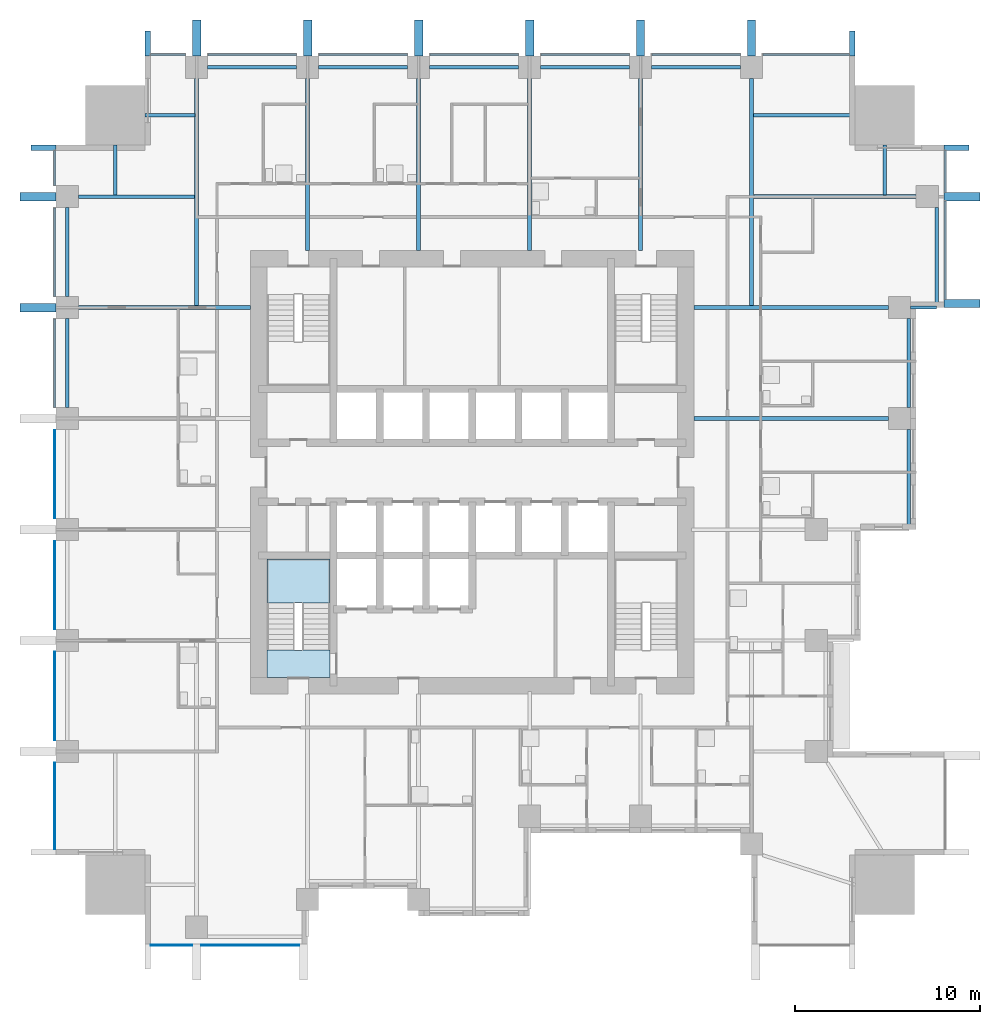
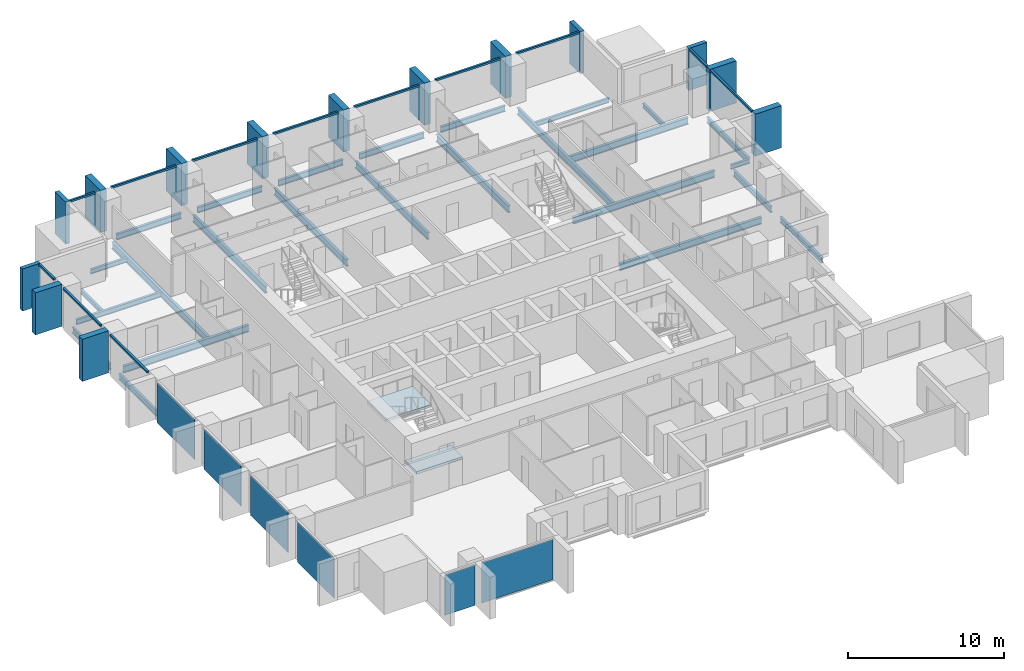
# One storey, part 2 of 10: 26 beams, 26 members, 6 plates, 2 slabs, 5 elements without a shape of their own.
"""IFC4 building model written with IfcOpenShell, lengths in metres."""

from ifc_helpers import new_model, si_unit, direction, frame, origin, origin_2d, place, context, subcontext, project, spatial, polyline, rectangle, i_section, outline, extrude, material, layer, layer_set, material_profile, profile_set, type_object, element, aggregate, save


model = new_model("IFC4")

# Units and contexts
model_context = context("Model", 3, precision=1e-05, world=origin(), true_north=direction((0.0, 1.0)))
body_context = subcontext(model_context, "Body", "Model", "MODEL_VIEW")
ifc_project = project(units=[si_unit("LENGTHUNIT", "METRE"), si_unit("AREAUNIT", "SQUARE_METRE"), si_unit("VOLUMEUNIT", "CUBIC_METRE"), si_unit("PLANEANGLEUNIT", "RADIAN"), si_unit("MASSUNIT", "GRAM", prefix="KILO")], contexts=[model_context])

# Site, building, storey
site_placement = place(None, origin())
site = spatial("IfcSite", under=ifc_project, at=site_placement, CompositionType="ELEMENT")
building_placement = place(site_placement, origin())
building = spatial("IfcBuilding", under=site, at=building_placement, Name="Amberfall Residences", CompositionType="ELEMENT")
storey_placement = place(building_placement, frame((0.0, 0.0, 46.60009765625)))
storey = spatial("IfcBuildingStorey", under=building, at=storey_placement, Name="L12", CompositionType="ELEMENT", Elevation=46.60009765625)

# Curtain wall, members
ifc_material_1 = material(Name="Bronze anodised aluminium and glass", Category="aluminium")
curtain_wall_type = type_object("IfcCurtainWallType", Name="Curtain wall CW1 tower unit", PredefinedType="USERDEFINED", material=ifc_material_1)
curtain_wall_1_placement = place(storey_placement, origin())
curtain_wall_1 = element("IfcCurtainWall", 1, at=curtain_wall_1_placement, inside=storey, type_object=curtain_wall_type, Name="Curtain wall L12 E E10", ObjectType="UNITISED CURTAIN WALL", PredefinedType="USERDEFINED")
ifc_material_2 = material(Name="Bronze anodised aluminium", Category="aluminium")
ifc_material_profile_1 = material_profile(ifc_material_2, rectangle(XDim=0.14990234375, YDim=0.14990234375, at=origin_2d()), Name="CW1 transom 150 x 150 bronze")
ifc_profile_set_1 = profile_set([ifc_material_profile_1], Name="Bronze anodised aluminium")
member_type_1 = type_object("IfcMemberType", Name="CW1 transom 150 x 150 bronze", PredefinedType="USERDEFINED", material=ifc_profile_set_1)
member_1_placement = place(storey_placement, frame((100.074951171875, 54.85009765625, 2.974853515625), z_axis=(0.0, 1.0, 0.0), x_axis=(-1.0, 0.0, 0.0)))
member_1 = element("IfcMember", 2, at=member_1_placement, type_object=member_type_1, Name="CW1 transom 1.1", ObjectType="TRANSOM", PredefinedType="USERDEFINED", context=body_context, shape_type="SweptSolid", body=[
    extrude(rectangle(XDim=0.14990234375, YDim=0.14990234375, at=origin_2d()), origin(), (0.0, 0.0, 1.0), 5.324951171875),
])
member_2_placement = place(storey_placement, frame((100.074951171875, 60.625, 2.974853515625), z_axis=(0.0, 1.0, 0.0), x_axis=(-1.0, 0.0, 0.0)))
member_2 = element("IfcMember", 3, at=member_2_placement, type_object=member_type_1, Name="CW1 transom 2.1", ObjectType="TRANSOM", PredefinedType="USERDEFINED", context=body_context, shape_type="SweptSolid", body=[
    extrude(rectangle(XDim=0.14990234375, YDim=0.14990234375, at=origin_2d()), origin(), (0.0, 0.0, 1.0), 2.27490234375),
])

curtain_wall_2_placement = place(storey_placement, origin())
curtain_wall_2 = element("IfcCurtainWall", 4, at=curtain_wall_2_placement, inside=storey, type_object=curtain_wall_type, Name="Curtain wall L12 N N1", ObjectType="UNITISED CURTAIN WALL", PredefinedType="USERDEFINED")
member_3_placement = place(storey_placement, frame((94.89990234375, 68.074951171875, 2.974853515625), z_axis=(-1.0, 0.0, 0.0), x_axis=(0.0, -1.0, 0.0)))
member_3 = element("IfcMember", 5, at=member_3_placement, type_object=member_type_1, Name="CW1 transom 1.1", ObjectType="TRANSOM", PredefinedType="USERDEFINED", context=body_context, shape_type="SweptSolid", body=[
    extrude(rectangle(XDim=0.14990234375, YDim=0.14990234375, at=origin_2d()), origin(), (0.0, 0.0, 1.0), 4.69482421875),
])
member_4_placement = place(storey_placement, frame((88.9951171875, 68.074951171875, 2.974853515625), z_axis=(-1.0, 0.0, 0.0), x_axis=(0.0, -1.0, 0.0)))
member_4 = element("IfcMember", 6, at=member_4_placement, type_object=member_type_1, Name="CW1 transom 2.1", ObjectType="TRANSOM", PredefinedType="USERDEFINED", context=body_context, shape_type="SweptSolid", body=[
    extrude(rectangle(XDim=0.14990234375, YDim=0.14990234375, at=origin_2d()), origin(), (0.0, 0.0, 1.0), 4.7900390625),
])
member_5_placement = place(storey_placement, frame((82.9951171875, 68.074951171875, 2.974853515625), z_axis=(-1.0, 0.0, 0.0), x_axis=(0.0, -1.0, 0.0)))
member_5 = element("IfcMember", 7, at=member_5_placement, type_object=member_type_1, Name="CW1 transom 3.1", ObjectType="TRANSOM", PredefinedType="USERDEFINED", context=body_context, shape_type="SweptSolid", body=[
    extrude(rectangle(XDim=0.14990234375, YDim=0.14990234375, at=origin_2d()), origin(), (0.0, 0.0, 1.0), 4.7900390625),
])
member_6_placement = place(storey_placement, frame((76.9951171875, 68.074951171875, 2.974853515625), z_axis=(-1.0, 0.0, 0.0), x_axis=(0.0, -1.0, 0.0)))
member_6 = element("IfcMember", 8, at=member_6_placement, type_object=member_type_1, Name="CW1 transom 4.1", ObjectType="TRANSOM", PredefinedType="USERDEFINED", context=body_context, shape_type="SweptSolid", body=[
    extrude(rectangle(XDim=0.14990234375, YDim=0.14990234375, at=origin_2d()), origin(), (0.0, 0.0, 1.0), 4.7900390625),
])
member_7_placement = place(storey_placement, frame((70.9951171875, 68.074951171875, 2.974853515625), z_axis=(-1.0, 0.0, 0.0), x_axis=(0.0, -1.0, 0.0)))
member_7 = element("IfcMember", 9, at=member_7_placement, type_object=member_type_1, Name="CW1 transom 5.1", ObjectType="TRANSOM", PredefinedType="USERDEFINED", context=body_context, shape_type="SweptSolid", body=[
    extrude(rectangle(XDim=0.14990234375, YDim=0.14990234375, at=origin_2d()), origin(), (0.0, 0.0, 1.0), 4.7900390625),
])
member_8_placement = place(storey_placement, frame((64.9951171875, 68.074951171875, 2.974853515625), z_axis=(-1.0, 0.0, 0.0), x_axis=(0.0, -1.0, 0.0)))
member_8 = element("IfcMember", 10, at=member_8_placement, type_object=member_type_1, Name="CW1 transom 6.1", ObjectType="TRANSOM", PredefinedType="USERDEFINED", context=body_context, shape_type="SweptSolid", body=[
    extrude(rectangle(XDim=0.14990234375, YDim=0.14990234375, at=origin_2d()), origin(), (0.0, 0.0, 1.0), 4.7900390625),
])
member_9_placement = place(storey_placement, frame((58.9951171875, 68.074951171875, 2.974853515625), z_axis=(-1.0, 0.0, 0.0), x_axis=(0.0, -1.0, 0.0)))
member_9 = element("IfcMember", 11, at=member_9_placement, type_object=member_type_1, Name="CW1 transom 7.1", ObjectType="TRANSOM", PredefinedType="USERDEFINED", context=body_context, shape_type="SweptSolid", body=[
    extrude(rectangle(XDim=0.14990234375, YDim=0.14990234375, at=origin_2d()), origin(), (0.0, 0.0, 1.0), 1.89501953125),
])

curtain_wall_3_placement = place(storey_placement, origin())
curtain_wall_3 = element("IfcCurtainWall", 12, at=curtain_wall_3_placement, inside=storey, type_object=curtain_wall_type, Name="Curtain wall L12 W W1", ObjectType="UNITISED CURTAIN WALL", PredefinedType="USERDEFINED")
member_10_placement = place(storey_placement, frame((51.925048828125, 62.89990234375, 2.974853515625), z_axis=(0.0, -1.0, 0.0), x_axis=(1.0, 0.0, 0.0)))
member_10 = element("IfcMember", 13, at=member_10_placement, type_object=member_type_1, Name="CW1 transom 1.1", ObjectType="TRANSOM", PredefinedType="USERDEFINED", context=body_context, shape_type="SweptSolid", body=[
    extrude(rectangle(XDim=0.14990234375, YDim=0.14990234375, at=origin_2d()), origin(), (0.0, 0.0, 1.0), 1.89501953125),
])
member_11_placement = place(storey_placement, frame((51.925048828125, 59.794921875, 2.974853515625), z_axis=(0.0, -1.0, 0.0), x_axis=(1.0, 0.0, 0.0)))
member_11 = element("IfcMember", 14, at=member_11_placement, type_object=member_type_1, Name="CW1 transom 2.1", ObjectType="TRANSOM", PredefinedType="USERDEFINED", context=body_context, shape_type="SweptSolid", body=[
    extrude(rectangle(XDim=0.14990234375, YDim=0.14990234375, at=origin_2d()), origin(), (0.0, 0.0, 1.0), 4.7900390625),
])
member_12_placement = place(storey_placement, frame((51.925048828125, 53.794921875, 2.974853515625), z_axis=(0.0, -1.0, 0.0), x_axis=(1.0, 0.0, 0.0)))
member_12 = element("IfcMember", 15, at=member_12_placement, type_object=member_type_1, Name="CW1 transom 3.1", ObjectType="TRANSOM", PredefinedType="USERDEFINED", context=body_context, shape_type="SweptSolid", body=[
    extrude(rectangle(XDim=0.14990234375, YDim=0.14990234375, at=origin_2d()), origin(), (0.0, 0.0, 1.0), 4.7900390625),
])

# Beam
ifc_material_3 = material(Name="Steel S355", Category="steel")
ifc_material_profile_2 = material_profile(ifc_material_3, i_section(OverallWidth=0.171142578125, OverallDepth=0.351318359375, WebThickness=0.007080078125, FlangeThickness=0.009765625, FilletRadius=0.01025390625, at=origin_2d()), Name="UB 356x171x45")
ifc_profile_set_2 = profile_set([ifc_material_profile_2], Name="Steel S355")
beam_type_1 = type_object("IfcBeamType", Name="Cantilever girder UB 356x171x45", PredefinedType="BEAM", material=ifc_profile_set_2)
beam_1_placement = place(storey_placement, frame((98.199951171875, 54.39990234375, -0.42578125), z_axis=(1.0, 0.0, 0.0), x_axis=(0.0, 1.0, 0.0)))
element("IfcBeam", 16, at=beam_1_placement, inside=storey, type_object=beam_type_1, Name="Cantilever girder B8 L12 21", PredefinedType="BEAM", context=body_context, shape_type="SweptSolid", body=[
    extrude(i_section(OverallWidth=0.171142578125, OverallDepth=0.351318359375, WebThickness=0.007080078125, FlangeThickness=0.009765625, FilletRadius=0.01025390625, at=origin_2d()), origin(), (0.0, 0.0, 1.0), 1.400146484375),
])

# Member
ifc_material_profile_3 = material_profile(ifc_material_2, rectangle(XDim=1.35009765625, YDim=0.300048828125, at=origin_2d()), Name="Corner fin 300 x 1350 bronze")
ifc_profile_set_3 = profile_set([ifc_material_profile_3], Name="Bronze anodised aluminium")
member_type_2 = type_object("IfcMemberType", Name="Corner fin 300 x 1350 bronze", PredefinedType="MULLION", material=ifc_profile_set_3)
member_13_placement = place(storey_placement, frame((100.675048828125, 63.050048828125, -0.25), z_axis=(0.0, 0.0, 1.0), x_axis=(-1.0, 0.0, 0.0)))
member_13 = element("IfcMember", 17, at=member_13_placement, type_object=member_type_2, Name="CW FIN 3", PredefinedType="MULLION", context=body_context, shape_type="SweptSolid", body=[
    extrude(rectangle(XDim=1.35009765625, YDim=0.300048828125, at=origin_2d()), origin(), (0.0, 0.0, 1.0), 3.2998046875),
])

member_14_placement = place(storey_placement, frame((95.050048828125, 68.675048828125, -0.25), z_axis=(0.0, 0.0, 1.0), x_axis=(0.0, -1.0, 0.0)))
member_14 = element("IfcMember", 18, at=member_14_placement, type_object=member_type_2, Name="CW FIN 1", PredefinedType="MULLION", context=body_context, shape_type="SweptSolid", body=[
    extrude(rectangle(XDim=1.35009765625, YDim=0.300048828125, at=origin_2d()), origin(), (0.0, 0.0, 1.0), 3.2998046875),
])

member_15_placement = place(storey_placement, frame((56.949951171875, 68.675048828125, -0.25), z_axis=(0.0, 0.0, 1.0), x_axis=(0.0, -1.0, 0.0)))
member_15 = element("IfcMember", 19, at=member_15_placement, type_object=member_type_2, Name="CW FIN 8", PredefinedType="MULLION", context=body_context, shape_type="SweptSolid", body=[
    extrude(rectangle(XDim=1.35009765625, YDim=0.300048828125, at=origin_2d()), origin(), (0.0, 0.0, 1.0), 3.2998046875),
])

member_16_placement = place(storey_placement, frame((51.324951171875, 63.050048828125, -0.25), z_axis=(0.0, 0.0, 1.0), x_axis=(1.0, 0.0, 0.0)))
member_16 = element("IfcMember", 20, at=member_16_placement, type_object=member_type_2, Name="CW FIN 1", PredefinedType="MULLION", context=body_context, shape_type="SweptSolid", body=[
    extrude(rectangle(XDim=1.35009765625, YDim=0.300048828125, at=origin_2d()), origin(), (0.0, 0.0, 1.0), 3.2998046875),
])

# Beams
ifc_material_profile_4 = material_profile(ifc_material_3, i_section(OverallWidth=0.18994140625, OverallDepth=0.453369140625, WebThickness=0.008544921875, FlangeThickness=0.0126953125, FilletRadius=0.01025390625, at=origin_2d()), Name="UB 457x191x67")
ifc_profile_set_4 = profile_set([ifc_material_profile_4], Name="Steel S355")
beam_type_2 = type_object("IfcBeamType", Name="Edge beam UB 457x191x67", PredefinedType="SPANDREL", material=ifc_profile_set_4)
beam_2_placement = place(storey_placement, frame((98.10009765625, 42.47998046875, -0.476806640625), z_axis=(0.0, 1.0, 0.0), x_axis=(-1.0, 0.0, 0.0)))
element("IfcBeam", 21, at=beam_2_placement, inside=storey, type_object=beam_type_2, Name="Edge beam B1 L12 16", PredefinedType="SPANDREL", context=body_context, shape_type="SweptSolid", body=[
    extrude(i_section(OverallWidth=0.18994140625, OverallDepth=0.453369140625, WebThickness=0.008544921875, FlangeThickness=0.0126953125, FilletRadius=0.01025390625, at=origin_2d()), origin(), (0.0, 0.0, 1.0), 5.320068359375),
])
beam_3_placement = place(storey_placement, frame((98.10009765625, 49.0, -0.476806640625), z_axis=(0.0, 1.0, 0.0), x_axis=(-1.0, 0.0, 0.0)))
element("IfcBeam", 22, at=beam_3_placement, inside=storey, type_object=beam_type_2, Name="Edge beam B1 L12 17", PredefinedType="SPANDREL", context=body_context, shape_type="SweptSolid", body=[
    extrude(i_section(OverallWidth=0.18994140625, OverallDepth=0.453369140625, WebThickness=0.008544921875, FlangeThickness=0.0126953125, FilletRadius=0.01025390625, at=origin_2d()), origin(), (0.0, 0.0, 1.0), 4.800048828125),
])
beam_4_placement = place(storey_placement, frame((99.60009765625, 54.47998046875, -0.476806640625), z_axis=(0.0, 1.0, 0.0), x_axis=(-1.0, 0.0, 0.0)))
element("IfcBeam", 23, at=beam_4_placement, inside=storey, type_object=beam_type_2, Name="Edge beam B1 L12 18", PredefinedType="SPANDREL", context=body_context, shape_type="SweptSolid", body=[
    extrude(i_section(OverallWidth=0.18994140625, OverallDepth=0.453369140625, WebThickness=0.008544921875, FlangeThickness=0.0126953125, FilletRadius=0.01025390625, at=origin_2d()), origin(), (0.0, 0.0, 1.0), 5.320068359375),
])
for number, where, z_axis, x_axis, name in (
    (24, (60.199951171875, 67.39990234375, -0.476806640625), (1.0, 0.0, 0.0), (0.0, 1.0, 0.0), "Edge beam B1 L12 28"),
    (25, (66.199951171875, 67.39990234375, -0.476806640625), (1.0, 0.0, 0.0), (0.0, 1.0, 0.0), "Edge beam B1 L12 29"),
    (26, (72.199951171875, 67.39990234375, -0.476806640625), (1.0, 0.0, 0.0), (0.0, 1.0, 0.0), "Edge beam B1 L12 30"),
    (27, (78.199951171875, 67.39990234375, -0.476806640625), (1.0, 0.0, 0.0), (0.0, 1.0, 0.0), "Edge beam B1 L12 31"),
    (28, (84.199951171875, 67.39990234375, -0.476806640625), (1.0, 0.0, 0.0), (0.0, 1.0, 0.0), "Edge beam B1 L12 32"),
    (29, (52.60009765625, 49.0, -0.476806640625), (0.0, 1.0, 0.0), (-1.0, 0.0, 0.0), "Edge beam B1 L12 42"),
    (30, (52.60009765625, 55.0, -0.476806640625), (0.0, 1.0, 0.0), (-1.0, 0.0, 0.0), "Edge beam B1 L12 43"),
):
    element("IfcBeam", number, at=place(storey_placement, frame(where, z_axis=z_axis, x_axis=x_axis)), inside=storey, type_object=beam_type_2, Name=name, PredefinedType="SPANDREL", context=body_context, shape_type="SweptSolid", body=[
        extrude(i_section(OverallWidth=0.18994140625, OverallDepth=0.453369140625, WebThickness=0.008544921875, FlangeThickness=0.0126953125, FilletRadius=0.01025390625, at=origin_2d()), origin(), (0.0, 0.0, 1.0), 4.800048828125),
    ])

# Member
ifc_material_profile_5 = material_profile(ifc_material_2, rectangle(XDim=1.949951171875, YDim=0.449951171875, at=origin_2d()), Name="Fin 450 x 1950 bronze")
ifc_profile_set_5 = profile_set([ifc_material_profile_5], Name="Bronze anodised aluminium")
member_type_3 = type_object("IfcMemberType", Name="Fin 450 x 1950 bronze", PredefinedType="MULLION", material=ifc_profile_set_5)
member_17_placement = place(storey_placement, frame((100.97509765625, 54.625, -0.25), z_axis=(0.0, 0.0, 1.0), x_axis=(-1.0, 0.0, 0.0)))
member_17 = element("IfcMember", 31, at=member_17_placement, type_object=member_type_3, Name="CW FIN 1", PredefinedType="MULLION", context=body_context, shape_type="SweptSolid", body=[
    extrude(rectangle(XDim=1.949951171875, YDim=0.449951171875, at=origin_2d()), origin(), (0.0, 0.0, 1.0), 3.2998046875),
])

member_18_placement = place(storey_placement, frame((100.97509765625, 60.39990234375, -0.25), z_axis=(0.0, 0.0, 1.0), x_axis=(-1.0, 0.0, 0.0)))
member_18 = element("IfcMember", 32, at=member_18_placement, type_object=member_type_3, Name="CW FIN 2", PredefinedType="MULLION", context=body_context, shape_type="SweptSolid", body=[
    extrude(rectangle(XDim=1.949951171875, YDim=0.449951171875, at=origin_2d()), origin(), (0.0, 0.0, 1.0), 3.2998046875),
])

aggregate(curtain_wall_1, [member_17, member_18, member_13, member_1, member_2])

member_19_placement = place(storey_placement, frame((89.60009765625, 68.97509765625, -0.25), z_axis=(0.0, 0.0, 1.0), x_axis=(0.0, -1.0, 0.0)))
member_19 = element("IfcMember", 33, at=member_19_placement, type_object=member_type_3, Name="CW FIN 2", PredefinedType="MULLION", context=body_context, shape_type="SweptSolid", body=[
    extrude(rectangle(XDim=1.949951171875, YDim=0.449951171875, at=origin_2d()), origin(), (0.0, 0.0, 1.0), 3.2998046875),
])

member_20_placement = place(storey_placement, frame((83.60009765625, 68.97509765625, -0.25), z_axis=(0.0, 0.0, 1.0), x_axis=(0.0, -1.0, 0.0)))
member_20 = element("IfcMember", 34, at=member_20_placement, type_object=member_type_3, Name="CW FIN 3", PredefinedType="MULLION", context=body_context, shape_type="SweptSolid", body=[
    extrude(rectangle(XDim=1.949951171875, YDim=0.449951171875, at=origin_2d()), origin(), (0.0, 0.0, 1.0), 3.2998046875),
])

member_21_placement = place(storey_placement, frame((77.60009765625, 68.97509765625, -0.25), z_axis=(0.0, 0.0, 1.0), x_axis=(0.0, -1.0, 0.0)))
member_21 = element("IfcMember", 35, at=member_21_placement, type_object=member_type_3, Name="CW FIN 4", PredefinedType="MULLION", context=body_context, shape_type="SweptSolid", body=[
    extrude(rectangle(XDim=1.949951171875, YDim=0.449951171875, at=origin_2d()), origin(), (0.0, 0.0, 1.0), 3.2998046875),
])

member_22_placement = place(storey_placement, frame((71.60009765625, 68.97509765625, -0.25), z_axis=(0.0, 0.0, 1.0), x_axis=(0.0, -1.0, 0.0)))
member_22 = element("IfcMember", 36, at=member_22_placement, type_object=member_type_3, Name="CW FIN 5", PredefinedType="MULLION", context=body_context, shape_type="SweptSolid", body=[
    extrude(rectangle(XDim=1.949951171875, YDim=0.449951171875, at=origin_2d()), origin(), (0.0, 0.0, 1.0), 3.2998046875),
])

member_23_placement = place(storey_placement, frame((65.60009765625, 68.97509765625, -0.25), z_axis=(0.0, 0.0, 1.0), x_axis=(0.0, -1.0, 0.0)))
member_23 = element("IfcMember", 37, at=member_23_placement, type_object=member_type_3, Name="CW FIN 6", PredefinedType="MULLION", context=body_context, shape_type="SweptSolid", body=[
    extrude(rectangle(XDim=1.949951171875, YDim=0.449951171875, at=origin_2d()), origin(), (0.0, 0.0, 1.0), 3.2998046875),
])

member_24_placement = place(storey_placement, frame((59.60009765625, 68.97509765625, -0.25), z_axis=(0.0, 0.0, 1.0), x_axis=(0.0, -1.0, 0.0)))
member_24 = element("IfcMember", 38, at=member_24_placement, type_object=member_type_3, Name="CW FIN 7", PredefinedType="MULLION", context=body_context, shape_type="SweptSolid", body=[
    extrude(rectangle(XDim=1.949951171875, YDim=0.449951171875, at=origin_2d()), origin(), (0.0, 0.0, 1.0), 3.2998046875),
])

aggregate(curtain_wall_2, [member_14, member_19, member_20, member_21, member_22, member_23, member_24, member_15, member_3, member_4, member_5, member_6, member_7, member_8, member_9])

member_25_placement = place(storey_placement, frame((51.02490234375, 60.39990234375, -0.25), z_axis=(0.0, 0.0, 1.0), x_axis=(1.0, 0.0, 0.0)))
member_25 = element("IfcMember", 39, at=member_25_placement, type_object=member_type_3, Name="CW FIN 2", PredefinedType="MULLION", context=body_context, shape_type="SweptSolid", body=[
    extrude(rectangle(XDim=1.949951171875, YDim=0.449951171875, at=origin_2d()), origin(), (0.0, 0.0, 1.0), 3.2998046875),
])

member_26_placement = place(storey_placement, frame((51.02490234375, 54.39990234375, -0.25), z_axis=(0.0, 0.0, 1.0), x_axis=(1.0, 0.0, 0.0)))
member_26 = element("IfcMember", 40, at=member_26_placement, type_object=member_type_3, Name="CW FIN 3", PredefinedType="MULLION", context=body_context, shape_type="SweptSolid", body=[
    extrude(rectangle(XDim=1.949951171875, YDim=0.449951171875, at=origin_2d()), origin(), (0.0, 0.0, 1.0), 3.2998046875),
])

# Beams
ifc_material_profile_6 = material_profile(ifc_material_3, i_section(OverallWidth=0.177734375, OverallDepth=0.402587890625, WebThickness=0.0078125, FlangeThickness=0.010986328125, FilletRadius=0.01025390625, at=origin_2d()), Name="UB 406x178x54")
ifc_profile_set_6 = profile_set([ifc_material_profile_6], Name="Steel S355")
beam_type_3 = type_object("IfcBeamType", Name="Floor girder UB 406x178x54", PredefinedType="BEAM", material=ifc_profile_set_6)
beam_5_placement = place(storey_placement, frame((53.199951171875, 60.39990234375, -0.451416015625), z_axis=(1.0, 0.0, 0.0), x_axis=(0.0, 1.0, 0.0)))
element("IfcBeam", 41, at=beam_5_placement, inside=storey, type_object=beam_type_3, Name="Floor girder B4 L12 49", PredefinedType="BEAM", context=body_context, shape_type="SweptSolid", body=[
    extrude(i_section(OverallWidth=0.177734375, OverallDepth=0.402587890625, WebThickness=0.0078125, FlangeThickness=0.010986328125, FilletRadius=0.01025390625, at=origin_2d()), origin(), (0.0, 0.0, 1.0), 6.280029296875),
])
ifc_material_profile_7 = material_profile(ifc_material_3, i_section(OverallWidth=0.210693359375, OverallDepth=0.53955078125, WebThickness=0.01171875, FlangeThickness=0.018798828125, FilletRadius=0.0126953125, at=origin_2d()), Name="UB 533x210x109")
ifc_profile_set_7 = profile_set([ifc_material_profile_7], Name="Steel S355")
beam_type_4 = type_object("IfcBeamType", Name="Floor girder UB 533x210x109", PredefinedType="BEAM", material=ifc_profile_set_7)
for number, where, z_axis, x_axis, name in (
    (42, (59.60009765625, 66.800048828125, -0.519775390625), (0.0, -1.0, 0.0), (1.0, 0.0, 0.0), "Floor girder B2 L12 33"),
    (43, (89.60009765625, 66.800048828125, -0.519775390625), (0.0, -1.0, 0.0), (1.0, 0.0, 0.0), "Floor girder B2 L12 38"),
):
    element("IfcBeam", number, at=place(storey_placement, frame(where, z_axis=z_axis, x_axis=x_axis)), inside=storey, type_object=beam_type_4, Name=name, PredefinedType="BEAM", context=body_context, shape_type="SweptSolid", body=[
        extrude(i_section(OverallWidth=0.210693359375, OverallDepth=0.53955078125, WebThickness=0.01171875, FlangeThickness=0.018798828125, FilletRadius=0.0126953125, at=origin_2d()), origin(), (0.0, 0.0, 1.0), 12.300537109375),
    ])
ifc_material_profile_8 = material_profile(ifc_material_3, i_section(OverallWidth=0.209228515625, OverallDepth=0.533203125, WebThickness=0.010009765625, FlangeThickness=0.015625, FilletRadius=0.0126953125, at=origin_2d()), Name="UB 533x210x92")
ifc_profile_set_8 = profile_set([ifc_material_profile_8], Name="Steel S355")
beam_type_5 = type_object("IfcBeamType", Name="Floor girder UB 533x210x92", PredefinedType="BEAM", material=ifc_profile_set_8)
for number, where, z_axis, x_axis, name in (
    (44, (97.0, 48.39990234375, -0.5166015625), (-1.0, 0.0, 0.0), (0.0, -1.0, 0.0), "Floor girder B3 L12 25"),
    (45, (97.0, 54.39990234375, -0.5166015625), (-1.0, 0.0, 0.0), (0.0, -1.0, 0.0), "Floor girder B3 L12 26"),
):
    element("IfcBeam", number, at=place(storey_placement, frame(where, z_axis=z_axis, x_axis=x_axis)), inside=storey, type_object=beam_type_5, Name=name, PredefinedType="BEAM", context=body_context, shape_type="SweptSolid", body=[
        extrude(i_section(OverallWidth=0.209228515625, OverallDepth=0.533203125, WebThickness=0.010009765625, FlangeThickness=0.015625, FilletRadius=0.0126953125, at=origin_2d()), origin(), (0.0, 0.0, 1.0), 10.5),
    ])
beam_6_placement = place(storey_placement, frame((98.5, 60.39990234375, -0.5166015625), z_axis=(-1.0, 0.0, 0.0), x_axis=(0.0, -1.0, 0.0)))
element("IfcBeam", 46, at=beam_6_placement, inside=storey, type_object=beam_type_5, Name="Floor girder B3 L12 27", PredefinedType="BEAM", context=body_context, shape_type="SweptSolid", body=[
    extrude(i_section(OverallWidth=0.209228515625, OverallDepth=0.533203125, WebThickness=0.010009765625, FlangeThickness=0.015625, FilletRadius=0.0126953125, at=origin_2d()), origin(), (0.0, 0.0, 1.0), 8.780029296875),
])
for number, where, z_axis, x_axis, name in (
    (47, (65.60009765625, 66.800048828125, -0.5166015625), (0.0, -1.0, 0.0), (1.0, 0.0, 0.0), "Floor girder B3 L12 34"),
    (48, (71.60009765625, 66.800048828125, -0.5166015625), (0.0, -1.0, 0.0), (1.0, 0.0, 0.0), "Floor girder B3 L12 35"),
    (49, (77.60009765625, 66.800048828125, -0.5166015625), (0.0, -1.0, 0.0), (1.0, 0.0, 0.0), "Floor girder B3 L12 36"),
    (50, (83.60009765625, 66.800048828125, -0.5166015625), (0.0, -1.0, 0.0), (1.0, 0.0, 0.0), "Floor girder B3 L12 37"),
    (51, (53.199951171875, 54.39990234375, -0.5166015625), (1.0, 0.0, 0.0), (0.0, 1.0, 0.0), "Floor girder B3 L12 48"),
):
    element("IfcBeam", number, at=place(storey_placement, frame(where, z_axis=z_axis, x_axis=x_axis)), inside=storey, type_object=beam_type_5, Name=name, PredefinedType="BEAM", context=body_context, shape_type="SweptSolid", body=[
        extrude(i_section(OverallWidth=0.209228515625, OverallDepth=0.533203125, WebThickness=0.010009765625, FlangeThickness=0.015625, FilletRadius=0.0126953125, at=origin_2d()), origin(), (0.0, 0.0, 1.0), 9.300048828125),
    ])
ifc_material_profile_9 = material_profile(ifc_material_3, i_section(OverallWidth=0.171142578125, OverallDepth=0.351318359375, WebThickness=0.007080078125, FlangeThickness=0.009765625, FilletRadius=0.01025390625, at=origin_2d()), Name="UB 356x171x45")
ifc_profile_set_9 = profile_set([ifc_material_profile_9], Name="Steel S355")
beam_type_6 = type_object("IfcBeamType", Name="Link beam UB 356x171x45", PredefinedType="BEAM", material=ifc_profile_set_9)
beam_7_placement = place(storey_placement, frame((95.199951171875, 64.800048828125, -0.42578125), z_axis=(-1.0, 0.0, 0.0), x_axis=(0.0, -1.0, 0.0)))
element("IfcBeam", 52, at=beam_7_placement, inside=storey, type_object=beam_type_6, Name="Link beam B7 L12 54", PredefinedType="BEAM", context=body_context, shape_type="SweptSolid", body=[
    extrude(i_section(OverallWidth=0.171142578125, OverallDepth=0.351318359375, WebThickness=0.007080078125, FlangeThickness=0.009765625, FilletRadius=0.01025390625, at=origin_2d()), origin(), (0.0, 0.0, 1.0), 5.504638671875),
])
beam_8_placement = place(storey_placement, frame((96.800048828125, 63.199951171875, -0.42578125), z_axis=(0.0, -1.0, 0.0), x_axis=(1.0, 0.0, 0.0)))
element("IfcBeam", 53, at=beam_8_placement, inside=storey, type_object=beam_type_6, Name="Link beam B7 L12 55", PredefinedType="BEAM", context=body_context, shape_type="SweptSolid", body=[
    extrude(i_section(OverallWidth=0.171142578125, OverallDepth=0.351318359375, WebThickness=0.007080078125, FlangeThickness=0.009765625, FilletRadius=0.01025390625, at=origin_2d()), origin(), (0.0, 0.0, 1.0), 2.705322265625),
])
beam_9_placement = place(storey_placement, frame((56.800048828125, 64.800048828125, -0.42578125), z_axis=(1.0, 0.0, 0.0), x_axis=(0.0, 1.0, 0.0)))
element("IfcBeam", 54, at=beam_9_placement, inside=storey, type_object=beam_type_6, Name="Link beam B7 L12 56", PredefinedType="BEAM", context=body_context, shape_type="SweptSolid", body=[
    extrude(i_section(OverallWidth=0.171142578125, OverallDepth=0.351318359375, WebThickness=0.007080078125, FlangeThickness=0.009765625, FilletRadius=0.01025390625, at=origin_2d()), origin(), (0.0, 0.0, 1.0), 2.70458984375),
])
beam_10_placement = place(storey_placement, frame((55.199951171875, 63.199951171875, -0.42578125), z_axis=(0.0, -1.0, 0.0), x_axis=(1.0, 0.0, 0.0)))
element("IfcBeam", 55, at=beam_10_placement, inside=storey, type_object=beam_type_6, Name="Link beam B7 L12 57", PredefinedType="BEAM", context=body_context, shape_type="SweptSolid", body=[
    extrude(i_section(OverallWidth=0.171142578125, OverallDepth=0.351318359375, WebThickness=0.007080078125, FlangeThickness=0.009765625, FilletRadius=0.01025390625, at=origin_2d()), origin(), (0.0, 0.0, 1.0), 2.720947265625),
])

# Curtain wall, plates
curtain_wall_4_placement = place(storey_placement, origin())
curtain_wall_4 = element("IfcCurtainWall", 56, at=curtain_wall_4_placement, inside=storey, type_object=curtain_wall_type, Name="Curtain wall L12 S S1", ObjectType="UNITISED CURTAIN WALL", PredefinedType="USERDEFINED")
ifc_material_4 = material(Name="Tinted double glazed unit", Category="glass")
ifc_layer_1 = layer(ifc_material_4, 0.035888671875)
ifc_layer_set_1 = layer_set([ifc_layer_1], Name="CW1 panel 36 glazing")
plate_type = type_object("IfcPlateType", Name="CW1 panel 36 glazing", PredefinedType="CURTAIN_PANEL", material=ifc_layer_set_1)
plate_1_placement = place(storey_placement, frame((58.237548828125, 19.925048828125, -0.25), z_axis=(0.0, 0.0, 1.0), x_axis=(1.0, 0.0, 0.0)))
plate_1 = element("IfcPlate", 57, at=plate_1_placement, type_object=plate_type, Name="CW1 panel 1.1", PredefinedType="CURTAIN_PANEL", context=body_context, shape_type="SweptSolid", body=[
    extrude(rectangle(XDim=2.2509765625, YDim=0.035888671875, at=origin_2d()), origin(), (0.0, 0.0, 1.0), 3.14990234375),
])
plate_2_placement = place(storey_placement, frame((62.487548828125, 19.925048828125, -0.25), z_axis=(0.0, 0.0, 1.0), x_axis=(1.0, 0.0, 0.0)))
plate_2 = element("IfcPlate", 58, at=plate_2_placement, type_object=plate_type, Name="CW1 panel 2.1", PredefinedType="CURTAIN_PANEL", context=body_context, shape_type="SweptSolid", body=[
    extrude(rectangle(XDim=5.301025390625, YDim=0.035888671875, at=origin_2d()), origin(), (0.0, 0.0, 1.0), 3.14990234375),
])
aggregate(curtain_wall_4, [plate_1, plate_2])

# Plate
plate_3_placement = place(storey_placement, frame((51.925048828125, 45.39990234375, -0.25), z_axis=(0.0, 0.0, 1.0), x_axis=(0.0, -1.0, 0.0)))
plate_3 = element("IfcPlate", 59, at=plate_3_placement, type_object=plate_type, Name="CW1 panel 4.1", PredefinedType="CURTAIN_PANEL", context=body_context, shape_type="SweptSolid", body=[
    extrude(rectangle(XDim=4.76611328125, YDim=0.035888671875, at=origin_2d()), origin(), (0.0, 0.0, 1.0), 3.14990234375),
])

plate_4_placement = place(storey_placement, frame((51.925048828125, 39.39990234375, -0.25), z_axis=(0.0, 0.0, 1.0), x_axis=(0.0, -1.0, 0.0)))
plate_4 = element("IfcPlate", 60, at=plate_4_placement, type_object=plate_type, Name="CW1 panel 5.1", PredefinedType="CURTAIN_PANEL", context=body_context, shape_type="SweptSolid", body=[
    extrude(rectangle(XDim=4.76611328125, YDim=0.035888671875, at=origin_2d()), origin(), (0.0, 0.0, 1.0), 3.14990234375),
])

plate_5_placement = place(storey_placement, frame((51.925048828125, 33.39990234375, -0.25), z_axis=(0.0, 0.0, 1.0), x_axis=(0.0, -1.0, 0.0)))
plate_5 = element("IfcPlate", 61, at=plate_5_placement, type_object=plate_type, Name="CW1 panel 6.1", PredefinedType="CURTAIN_PANEL", context=body_context, shape_type="SweptSolid", body=[
    extrude(rectangle(XDim=4.76611328125, YDim=0.035888671875, at=origin_2d()), origin(), (0.0, 0.0, 1.0), 3.14990234375),
])

plate_6_placement = place(storey_placement, frame((51.925048828125, 27.447509765625, -0.25), z_axis=(0.0, 0.0, 1.0), x_axis=(0.0, -1.0, 0.0)))
plate_6 = element("IfcPlate", 62, at=plate_6_placement, type_object=plate_type, Name="CW1 panel 7.1", PredefinedType="CURTAIN_PANEL", context=body_context, shape_type="SweptSolid", body=[
    extrude(rectangle(XDim=4.6708984375, YDim=0.035888671875, at=origin_2d()), origin(), (0.0, 0.0, 1.0), 3.14990234375),
])

aggregate(curtain_wall_3, [member_16, member_25, member_26, member_10, member_11, member_12, plate_3, plate_4, plate_5, plate_6])

# Stair, slabs
ifc_material_5 = material(Name="Concrete C40", Category="concrete")
stair_type = type_object("IfcStairType", Name="Exit stair 20 risers 165.0 mm", PredefinedType="HALF_TURN_STAIR", material=ifc_material_5)
stair_placement = place(storey_placement, origin())
stair = element("IfcStair", 63, at=stair_placement, inside=storey, type_object=stair_type, Name="L12 Exit stair 1", PredefinedType="HALF_TURN_STAIR")
ifc_layer_2 = layer(ifc_material_5, 0.199951171875)
ifc_layer_set_2 = layer_set([ifc_layer_2], Name="Stair landing 200")
slab_type = type_object("IfcSlabType", Name="Stair landing 200", PredefinedType="LANDING", material=ifc_layer_set_2)
slab_1_placement = place(storey_placement, frame((0.0, 0.0, 1.449951171875)))
slab_1 = element("IfcSlab", 64, at=slab_1_placement, type_object=slab_type, Name="ST3 landing 1", PredefinedType="LANDING", context=body_context, shape_type="SweptSolid", body=[
    extrude(outline(polyline([(66.800048828125, 38.419921875), (66.800048828125, 40.800048828125), (63.39990234375, 40.800048828125), (63.39990234375, 38.419921875), (66.800048828125, 38.419921875)])), origin(), (0.0, 0.0, 1.0), 0.199951171875),
])
slab_2_placement = place(storey_placement, frame((0.0, 0.0, -0.2001953125)))
slab_2 = element("IfcSlab", 65, at=slab_2_placement, type_object=slab_type, Name="ST3 landing 2", PredefinedType="LANDING", context=body_context, shape_type="SweptSolid", body=[
    extrude(outline(polyline([(66.800048828125, 34.39990234375), (66.800048828125, 35.89990234375), (63.39990234375, 35.89990234375), (63.39990234375, 34.39990234375), (66.800048828125, 34.39990234375)])), origin(), (0.0, 0.0, 1.0), 0.2001953125),
])
aggregate(stair, [slab_1, slab_2])

save(model, "model.ifc")
